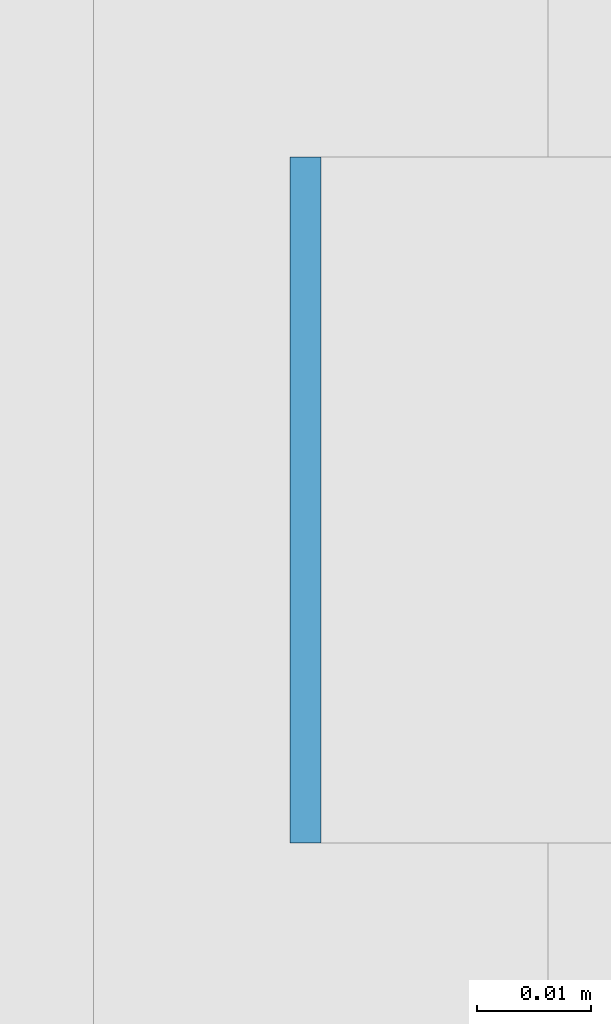
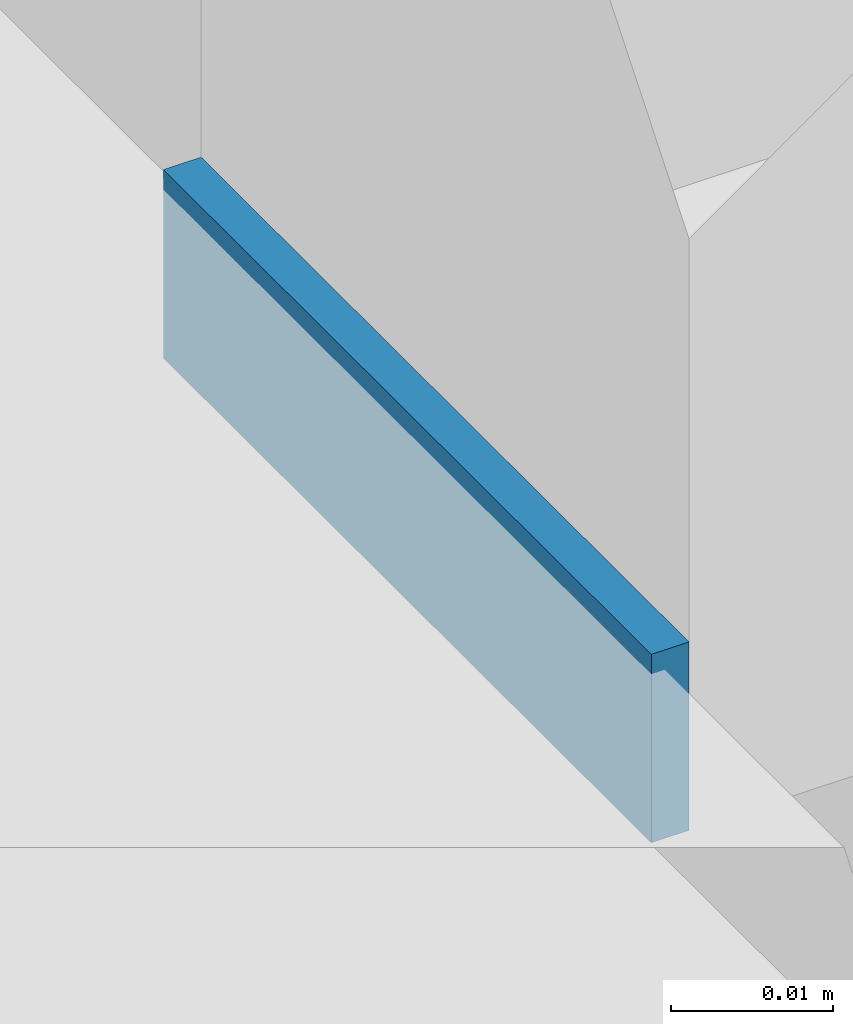
# One storey, part 578 of 646: 1 discrete accessory.
"""IFC4 building model written with IfcOpenShell, lengths in metres."""

from ifc_helpers import new_model, si_unit, direction, frame, origin, origin_2d, place, context, subcontext, project, spatial, rectangle, extrude, material, type_object, element, save


model = new_model("IFC4")

# Units and contexts
model_context = context("Model", 3, precision=1e-05, world=origin(), true_north=direction((0.0, 1.0)))
body_context = subcontext(model_context, "Body", "Model", "MODEL_VIEW")
ifc_project = project(units=[si_unit("LENGTHUNIT", "METRE"), si_unit("AREAUNIT", "SQUARE_METRE"), si_unit("VOLUMEUNIT", "CUBIC_METRE"), si_unit("PLANEANGLEUNIT", "RADIAN"), si_unit("MASSUNIT", "GRAM", prefix="KILO")], contexts=[model_context])

# Site, building, storey
site_placement = place(None, origin())
site = spatial("IfcSite", under=ifc_project, at=site_placement, CompositionType="ELEMENT")
building_placement = place(site_placement, origin())
building = spatial("IfcBuilding", under=site, at=building_placement, Name="Silverbay Arena", CompositionType="ELEMENT")
storey_placement = place(building_placement, frame((0.0, 0.0, 33.5)))
storey = spatial("IfcBuildingStorey", under=building, at=storey_placement, Name="L05", CompositionType="ELEMENT", Elevation=33.5)

# Discrete accessory
ifc_material = material(Name="Steel S355", Category="steel")
discrete_accessory_type = type_object("IfcDiscreteAccessoryType", Name="Steel bracket plate", PredefinedType="BRACKET", material=ifc_material)
discrete_accessory_placement = place(storey_placement, frame((207.128662109375, 110.571533203125, 4.0), z_axis=(0.0, 0.0, 1.0), x_axis=(1.0, 0.0, 0.0)))
element("IfcDiscreteAccessory", 1, at=discrete_accessory_placement, inside=storey, type_object=discrete_accessory_type, Name="Curtain wall packing plate", PredefinedType="BRACKET", context=body_context, shape_type="SweptSolid", body=[
    extrude(rectangle(XDim=0.002685546875, YDim=0.06005859375, at=origin_2d()), origin(), (0.0, 0.0, 1.0), 0.01416015625),
])

save(model, "model.ifc")
